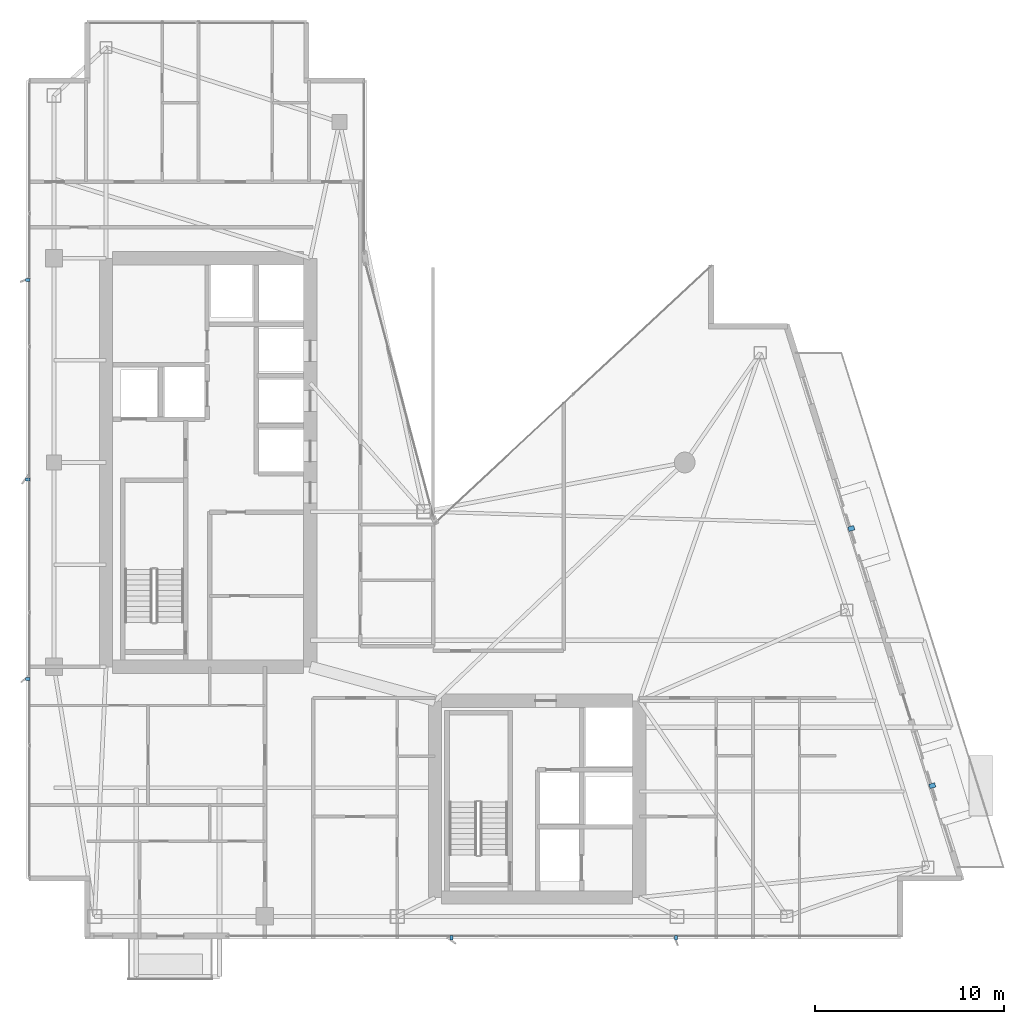
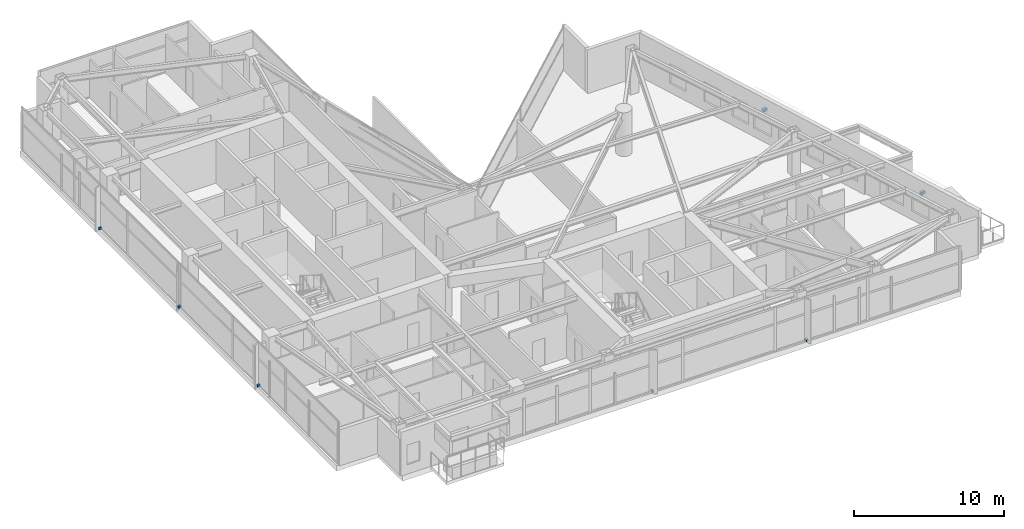
# One storey, part 26 of 28: 7 discrete accessories.
"""IFC4 building model written with IfcOpenShell, lengths in metres."""

import ifcopenshell
import ifcopenshell.guid

model = None  # the IFC model being written
_history = None  # IfcOwnerHistory: only IFC2X3 demands one
_inside = {}  # id of a spatial element -> (the spatial element, [elements in it])
_under = {}  # id of a project, library or spatial element -> (it, [spatial elements below it])
_declared = {}  # id of a project -> (the project, [libraries it declares])
_typed = {}  # id of a type object -> (the type object, [elements of that type])
_made_of = {}  # id of a material, layer set ... -> (it, [elements and type objects made of it])


def new_model(schema):
    """Start an empty IFC model of exactly this schema.

    Asked for "IFC4X3", IfcOpenShell would pick the latest addendum, in which some entities
    have other attributes; the version numbers below select the first issue.
    IFC2X3 requires an IfcOwnerHistory on every rooted entity: one is made here for all.
    """
    global model, _history
    if schema == "IFC4X3":
        model = ifcopenshell.file(schema_version=(4, 3, 0, 0))
    else:
        model = ifcopenshell.file(schema=schema)
    _inside.clear()
    _under.clear()
    _declared.clear()
    _typed.clear()
    _made_of.clear()
    _history = None
    if model.schema == "IFC2X3":
        org = make("IfcOrganization", Name="unknown")
        user = make(
            "IfcPersonAndOrganization",
            ThePerson=make("IfcPerson", FamilyName="unknown"),
            TheOrganization=org,
        )
        app = make(
            "IfcApplication",
            ApplicationDeveloper=org,
            Version="unknown",
            ApplicationFullName="unknown",
            ApplicationIdentifier="unknown",
        )
        _history = make(
            "IfcOwnerHistory",
            OwningUser=user,
            OwningApplication=app,
            ChangeAction="ADDED",
            CreationDate=0,
        )
    return model


def make(cls, **values):
    """One entity of the class cls with the attributes given. An attribute that is None is left unset."""
    return model.create_entity(
        cls, **{name: value for name, value in values.items() if value is not None}
    )


def rooted(cls, **values):
    """An entity with a GlobalId (a new one), such as an element, a storey or a relation."""
    return make(cls, GlobalId=ifcopenshell.guid.new(), OwnerHistory=_history, **values)


def si_unit(unit_type, name, prefix=None):
    """IfcSIUnit, for example si_unit("LENGTHUNIT", "METRE", prefix="MILLI")."""
    return make("IfcSIUnit", UnitType=unit_type, Prefix=prefix, Name=name)


def assignment(units):
    """IfcUnitAssignment: the units of a project."""
    return None if units is None else make("IfcUnitAssignment", Units=units)


def point(xyz):
    """IfcCartesianPoint."""
    return None if xyz is None else make("IfcCartesianPoint", Coordinates=xyz)


def direction(xyz):
    """IfcDirection."""
    return None if xyz is None else make("IfcDirection", DirectionRatios=xyz)


def frame(location, z_axis=None, x_axis=None):
    """IfcAxis2Placement3D, a coordinate frame: its origin and axes. An axis left out is left unset."""
    return make(
        "IfcAxis2Placement3D",
        Location=point(location),
        Axis=direction(z_axis),
        RefDirection=direction(x_axis),
    )


def frame_2d(location, x_axis=None):
    """IfcAxis2Placement2D, a coordinate frame in the plane: its origin and x axis."""
    return make(
        "IfcAxis2Placement2D", Location=point(location), RefDirection=direction(x_axis)
    )


def origin():
    """The frame at (0, 0, 0) with its axes left unset."""
    return frame((0.0, 0.0, 0.0))


def origin_2d():
    """The frame at (0, 0) in the plane with its x axis left unset."""
    return frame_2d((0.0, 0.0))


def place(relative_to, where):
    """IfcLocalPlacement: puts the frame where relative to a parent placement (None: the world)."""
    return make(
        "IfcLocalPlacement", PlacementRelTo=relative_to, RelativePlacement=where
    )


def context(
    kind, dimensions, precision=None, world=None, true_north=None, identifier=None
):
    """IfcGeometricRepresentationContext, for example the 3D "Model" context."""
    return make(
        "IfcGeometricRepresentationContext",
        ContextIdentifier=identifier,
        ContextType=kind,
        CoordinateSpaceDimension=dimensions,
        Precision=precision,
        WorldCoordinateSystem=world,
        TrueNorth=true_north,
    )


def subcontext(parent, identifier, kind, view, scale=None):
    """IfcGeometricRepresentationSubContext, for example "Body" below "Model"."""
    return make(
        "IfcGeometricRepresentationSubContext",
        ContextIdentifier=identifier,
        ContextType=kind,
        ParentContext=parent,
        TargetScale=scale,
        TargetView=view,
    )


def project(units=None, contexts=None):
    """IfcProject with its units and contexts."""
    return rooted(
        "IfcProject",
        Name="project",
        RepresentationContexts=contexts,
        UnitsInContext=assignment(units),
    )


def spatial(cls, under=None, at=None, **own):
    """A site, building, storey or space (cls), placed at a placement, below another one or the project."""
    s = rooted(cls, ObjectPlacement=at, **own)
    if under is not None:
        _under.setdefault(under.id(), (under, []))[1].append(s)
    return s


def profile(cls, at=None, kind="AREA", **sizes):
    """A parametric profile (cls). Its sizes go by their IFC names, for example OverallWidth=200.0."""
    return make(cls, ProfileType=kind, Position=at, **sizes)


def rectangle(**sizes):
    """IfcRectangleProfileDef."""
    return profile("IfcRectangleProfileDef", **sizes)


def extrude(swept, where, along, depth):
    """IfcExtrudedAreaSolid: the profile swept, set in the frame where, extruded along a direction by depth."""
    return make(
        "IfcExtrudedAreaSolid",
        SweptArea=swept,
        Position=where,
        ExtrudedDirection=direction(along),
        Depth=depth,
    )


def shape(context_of_items, identifier, shape_type, items):
    """IfcShapeRepresentation: the items that make up one representation, for example the "Body"."""
    return make(
        "IfcShapeRepresentation",
        ContextOfItems=context_of_items,
        RepresentationIdentifier=identifier,
        RepresentationType=shape_type,
        Items=items,
    )


def material(Name=None, Category=None):
    """IfcMaterial."""
    return make("IfcMaterial", Name=Name, Category=Category)


def made_of(thing, what):
    """Note that an element or type object is made of a material, layer set ...; save() writes the relation."""
    if what is not None:
        _made_of.setdefault(what.id(), (what, []))[1].append(thing)
    return thing


def type_object(cls, material=None, **own):
    """A type object (cls), such as IfcWallType, which elements share."""
    return made_of(rooted(cls, **own), material)


def element(
    cls,
    number,
    at=None,
    inside=None,
    cuts=None,
    type_object=None,
    material=None,
    context=None,
    identifier="Body",
    shape_type=None,
    held_by="IfcProductDefinitionShape",
    body=None,
    shapes=None,
    **own,
):
    """One element of the class cls, such as IfcWall. Its Tag is "e" and its number.

    at: its placement. inside: the storey or other place that contains it. cuts: it is an
    opening in that element (IfcRelVoidsElement). A single representation is given by context,
    identifier, shape_type and body (its items); several are given by shapes. held_by: the class
    of the entity that holds the representations. save() writes the other relations.
    """
    e = rooted(cls, Tag="e%d" % number, ObjectPlacement=at, **own)
    if body is not None:
        shapes = [shape(context, identifier, shape_type, body)]
    if shapes is not None:
        e.Representation = make(held_by, Representations=shapes)
    if inside is not None:
        _inside.setdefault(inside.id(), (inside, []))[1].append(e)
    if cuts is not None:
        rooted(
            "IfcRelVoidsElement", RelatingBuildingElement=cuts, RelatedOpeningElement=e
        )
    if type_object is not None:
        _typed.setdefault(type_object.id(), (type_object, []))[1].append(e)
    return made_of(e, material)


def aggregate(whole, parts):
    """IfcRelAggregates: a whole, such as a stair, and the parts it consists of."""
    return rooted("IfcRelAggregates", RelatingObject=whole, RelatedObjects=parts)


def save(model, path):
    """Write the relations noted so far, then the file.

    IfcRelAggregates (storeys below a building ...), IfcRelContainedInSpatialStructure (elements
    in a storey), IfcRelDefinesByType, IfcRelAssociatesMaterial and IfcRelDeclares: one each for
    every whole, place, type object, material and project.
    """
    for whole, parts in _under.values():
        aggregate(whole, parts)
    for where, things in _inside.values():
        rooted(
            "IfcRelContainedInSpatialStructure",
            RelatedElements=things,
            RelatingStructure=where,
        )
    for kind, things in _typed.values():
        rooted("IfcRelDefinesByType", RelatedObjects=things, RelatingType=kind)
    for what, things in _made_of.values():
        rooted("IfcRelAssociatesMaterial", RelatedObjects=things, RelatingMaterial=what)
    for by, libraries in _declared.values():
        rooted("IfcRelDeclares", RelatingContext=by, RelatedDefinitions=libraries)
    model.write(path)


model = new_model("IFC4")

# Units and contexts
model_context = context("Model", 3, precision=1e-05, world=origin(), true_north=direction((0.0, 1.0)))
body_context = subcontext(model_context, "Body", "Model", "MODEL_VIEW")
ifc_project = project(units=[si_unit("LENGTHUNIT", "METRE"), si_unit("AREAUNIT", "SQUARE_METRE"), si_unit("VOLUMEUNIT", "CUBIC_METRE"), si_unit("PLANEANGLEUNIT", "RADIAN"), si_unit("MASSUNIT", "GRAM", prefix="KILO")], contexts=[model_context])

# Site, building, storey
site_placement = place(None, origin())
site = spatial("IfcSite", under=ifc_project, at=site_placement, CompositionType="ELEMENT")
building_placement = place(site_placement, origin())
building = spatial("IfcBuilding", under=site, at=building_placement, Name="Calvorn Quay Hotel", CompositionType="ELEMENT")
storey_placement = place(building_placement, frame((0.0, 0.0, 219.300048828125)))
storey = spatial("IfcBuildingStorey", under=building, at=storey_placement, Name="L54", CompositionType="ELEMENT", Elevation=219.300048828125)

# Discrete accessories
ifc_material = material(Name="Steel Q355B", Category="steel")
discrete_accessory_type = type_object("IfcDiscreteAccessoryType", Name="ACC-FIN-BRACKET", PredefinedType="BRACKET", material=ifc_material)
for number, where, z_axis, x_axis, name in (
    (1, (0.06005859375, 16.14990234375, 0.02978515625), (0.0, 0.0, 1.0), (1.0, 0.0, 0.0), "Fin Anchor Bracket L54-W01"),
    (2, (0.06005859375, 26.699951171875, 0.02978515625), (0.0, 0.0, 1.0), (1.0, 0.0, 0.0), "Fin Anchor Bracket L54-W02"),
    (3, (0.06005859375, 37.25, 0.02978515625), (0.0, 0.0, 1.0), (1.0, 0.0, 0.0), "Fin Anchor Bracket L54-W03"),
    (4, (22.467041015625, 2.4599609375, 0.02978515625), (0.0, 0.0, 1.0), (0.0, 1.0, 0.0), "Fin Anchor Bracket L54-S01"),
    (5, (34.3330078125, 2.4599609375, 0.02978515625), (0.0, 0.0, 1.0), (0.0, 1.0, 0.0), "Fin Anchor Bracket L54-S02"),
):
    element("IfcDiscreteAccessory", number, at=place(storey_placement, frame(where, z_axis=z_axis, x_axis=x_axis)), inside=storey, type_object=discrete_accessory_type, Name=name, PredefinedType="BRACKET", context=body_context, shape_type="SweptSolid", body=[
        extrude(rectangle(XDim=0.239990234375, YDim=0.159912109375, at=origin_2d()), origin(), (0.0, 0.0, 1.0), 0.179931640625),
    ])
for number, where, z_axis, x_axis, name in (
    (6, (47.89501953125, 10.511962890625, 2.3701171875), (0.0, 0.0, 1.0), (0.957319497532, 0.289031796944, 0.0), "Bay Hood Support Bracket L54-HOOD-1"),
    (7, (43.610107421875, 24.112060546875, 2.3701171875), (0.0, 0.0, 1.0), (0.957319497532, 0.289031796944, 0.0), "Bay Hood Support Bracket L54-HOOD-3"),
):
    element("IfcDiscreteAccessory", number, at=place(storey_placement, frame(where, z_axis=z_axis, x_axis=x_axis)), inside=storey, type_object=discrete_accessory_type, Name=name, PredefinedType="BRACKET", context=body_context, shape_type="SweptSolid", body=[
        extrude(rectangle(XDim=0.320068359375, YDim=0.239990234375, at=origin_2d()), origin(), (0.0, 0.0, 1.0), 0.199951171875),
    ])

save(model, "model.ifc")
